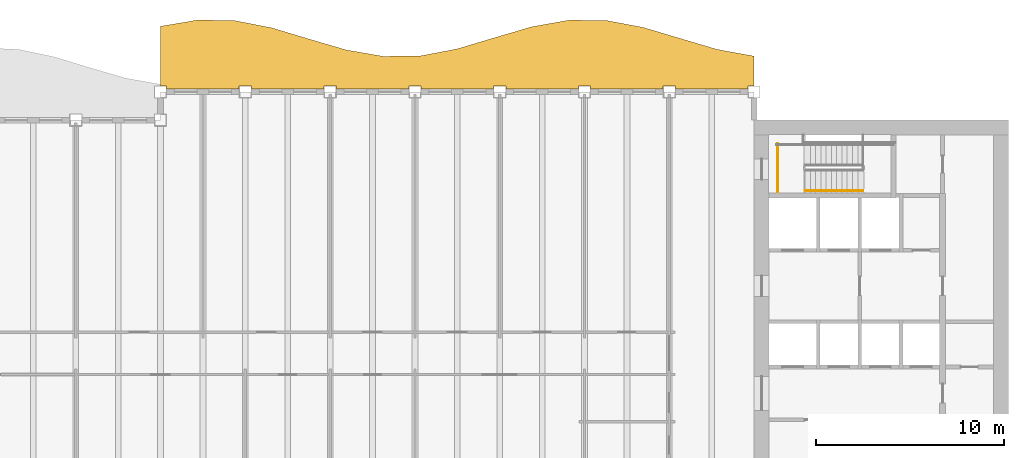
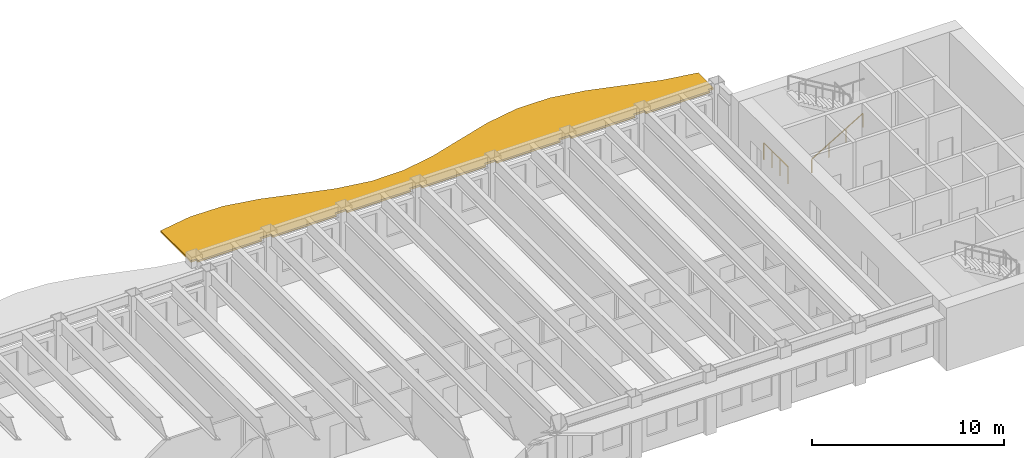
# One storey, part 11 of 12: 2 railings, 1 shading device.
"""IFC4 building model written with IfcOpenShell, lengths in metres."""

from ifc_helpers import new_model, si_unit, direction, frame, origin, origin_2d, place, context, subcontext, project, spatial, polyline, rectangle, outline, extrude, material, layer, layer_set, type_object, element, save


model = new_model("IFC4")

# Units and contexts
model_context = context("Model", 3, precision=1e-05, world=origin(), true_north=direction((0.0, 1.0)))
body_context = subcontext(model_context, "Body", "Model", "MODEL_VIEW")
ifc_project = project(units=[si_unit("LENGTHUNIT", "METRE"), si_unit("AREAUNIT", "SQUARE_METRE"), si_unit("VOLUMEUNIT", "CUBIC_METRE"), si_unit("PLANEANGLEUNIT", "RADIAN"), si_unit("MASSUNIT", "GRAM", prefix="KILO")], contexts=[model_context])

# Site, building, storey
site_placement = place(None, origin())
site = spatial("IfcSite", under=ifc_project, at=site_placement, CompositionType="ELEMENT")
building_placement = place(site_placement, origin())
building = spatial("IfcBuilding", under=site, at=building_placement, Name="Sennacour Bend Tower", CompositionType="ELEMENT")
storey_placement = place(building_placement, frame((0.0, 0.0, 257.0)))
storey = spatial("IfcBuildingStorey", under=building, at=storey_placement, Name="L59", CompositionType="ELEMENT", Elevation=257.0)

# Railings
ifc_material_1 = material(Name="Stainless steel", Category="steel")
railing_type_1 = type_object("IfcRailingType", Name="RL-GUARD-1100", PredefinedType="GUARDRAIL", material=ifc_material_1)
railing_1_placement = place(storey_placement, frame((55.25, 18.699951171875, 0.0)))
element("IfcRailing", 1, at=railing_1_placement, inside=storey, type_object=railing_type_1, Name="L59 SA2 stair guard 7", PredefinedType="GUARDRAIL", context=body_context, shape_type="SweptSolid", body=[
    extrude(rectangle(XDim=0.048095703125, YDim=0.048095703125, at=origin_2d()), frame((0.0, 0.0, 1.076171875), z_axis=(0.0, 1.0, 0.0), x_axis=(-1.0, 0.0, 0.0)), (0.0, 0.0, 1.0), 2.550048828125),
    extrude(rectangle(XDim=0.0419921875, YDim=0.0419921875, at=origin_2d()), origin(), (0.0, 0.0, 1.0), 1.052001953125),
    extrude(rectangle(XDim=0.0419921875, YDim=0.0419921875, at=origin_2d()), frame((0.0, 0.85009765625, 0.0)), (0.0, 0.0, 1.0), 1.052001953125),
    extrude(rectangle(XDim=0.0419921875, YDim=0.0419921875, at=origin_2d()), frame((0.0, 1.699951171875, 0.0)), (0.0, 0.0, 1.0), 1.052001953125),
    extrude(rectangle(XDim=0.0419921875, YDim=0.0419921875, at=origin_2d()), frame((0.0, 2.550048828125, 0.0)), (0.0, 0.0, 1.0), 1.052001953125),
])
railing_type_2 = type_object("IfcRailingType", Name="RL-HANDRAIL-900", PredefinedType="HANDRAIL", material=ifc_material_1)
railing_2_placement = place(storey_placement, frame((56.699951171875, 18.75, 0.166748046875)))
element("IfcRailing", 2, at=railing_2_placement, inside=storey, type_object=railing_type_2, Name="L59 SA2 stair handrail 1", PredefinedType="HANDRAIL", context=body_context, shape_type="SweptSolid", body=[
    extrude(rectangle(XDim=0.048095703125, YDim=0.048095703125, at=origin_2d()), frame((0.0, 0.0, 0.8759765625), z_axis=(0.859308565015, 0.0, 0.511457515432), x_axis=(0.0, 1.0, 0.0)), (0.0, 0.0, 1.0), 3.58447265625),
    extrude(rectangle(XDim=0.0419921875, YDim=0.0419921875, at=origin_2d()), origin(), (0.0, 0.0, 1.0), 0.851806640625),
    extrude(rectangle(XDim=0.0419921875, YDim=0.0419921875, at=origin_2d()), frame((1.026611328125, 0.0, 0.611083984375)), (0.0, 0.0, 1.0), 0.851806640625),
    extrude(rectangle(XDim=0.0419921875, YDim=0.0419921875, at=origin_2d()), frame((2.053466796875, 0.0, 1.22216796875)), (0.0, 0.0, 1.0), 0.851806640625),
    extrude(rectangle(XDim=0.0419921875, YDim=0.0419921875, at=origin_2d()), frame((3.080078125, 0.0, 1.833251953125)), (0.0, 0.0, 1.0), 0.851806640625),
])

# Shading device
ifc_material_2 = material(Name="Bronze anodised aluminium", Category="aluminium")
ifc_layer = layer(ifc_material_2, 0.1201171875, Name="Bronze anodised aluminium", Category="aluminium")
ifc_layer_set = layer_set([ifc_layer], Name="Bronze anodised aluminium")
shading_device_type = type_object("IfcShadingDeviceType", Name="SUNSHADE BAND WAVE", PredefinedType="USERDEFINED", material=ifc_layer_set)
shading_device_placement = place(storey_placement, frame((0.0, 0.0, 3.0419921875)))
element("IfcShadingDevice", 3, at=shading_device_placement, inside=storey, type_object=shading_device_type, Name="Sunshade band L59 concave faces", ObjectType="SUNSHADE", PredefinedType="USERDEFINED", context=body_context, shape_type="SweptSolid", body=[
    extrude(outline(polyline([(53.675048828125, 24.14990234375), (49.824951171875, 24.14990234375), (49.824951171875, 24.324951171875), (49.175048828125, 24.324951171875), (49.175048828125, 24.14990234375), (45.324951171875, 24.14990234375), (45.324951171875, 24.324951171875), (44.675048828125, 24.324951171875), (44.675048828125, 24.14990234375), (40.824951171875, 24.14990234375), (40.824951171875, 24.324951171875), (40.175048828125, 24.324951171875), (40.175048828125, 24.14990234375), (36.324951171875, 24.14990234375), (36.324951171875, 24.324951171875), (35.675048828125, 24.324951171875), (35.675048828125, 24.14990234375), (31.824951171875, 24.14990234375), (31.824951171875, 24.324951171875), (31.175048828125, 24.324951171875), (31.175048828125, 24.14990234375), (27.324951171875, 24.14990234375), (27.324951171875, 24.324951171875), (26.675048828125, 24.324951171875), (26.675048828125, 24.14990234375), (22.824951171875, 24.14990234375), (22.824951171875, 24.324951171875), (22.5, 24.324951171875), (22.5, 27.48291015625), (24.46875, 27.816162109375), (26.4375, 27.784423828125), (28.40625, 27.399658203125), (30.375, 26.80712890625), (32.34375, 26.23095703125), (34.3125, 25.888427734375), (36.28125, 25.909423828125), (38.25, 26.28564453125), (40.21875, 26.875), (42.1875, 27.455078125), (44.15625, 27.806396484375), (46.125, 27.79638671875), (48.09375, 27.42919921875), (50.0625, 26.843017578125), (52.03125, 26.25927734375), (54.0, 25.89892578125), (54.0, 24.324951171875), (53.675048828125, 24.324951171875), (53.675048828125, 24.14990234375)])), origin(), (0.0, 0.0, 1.0), 0.1201171875),
])

save(model, "model.ifc")
